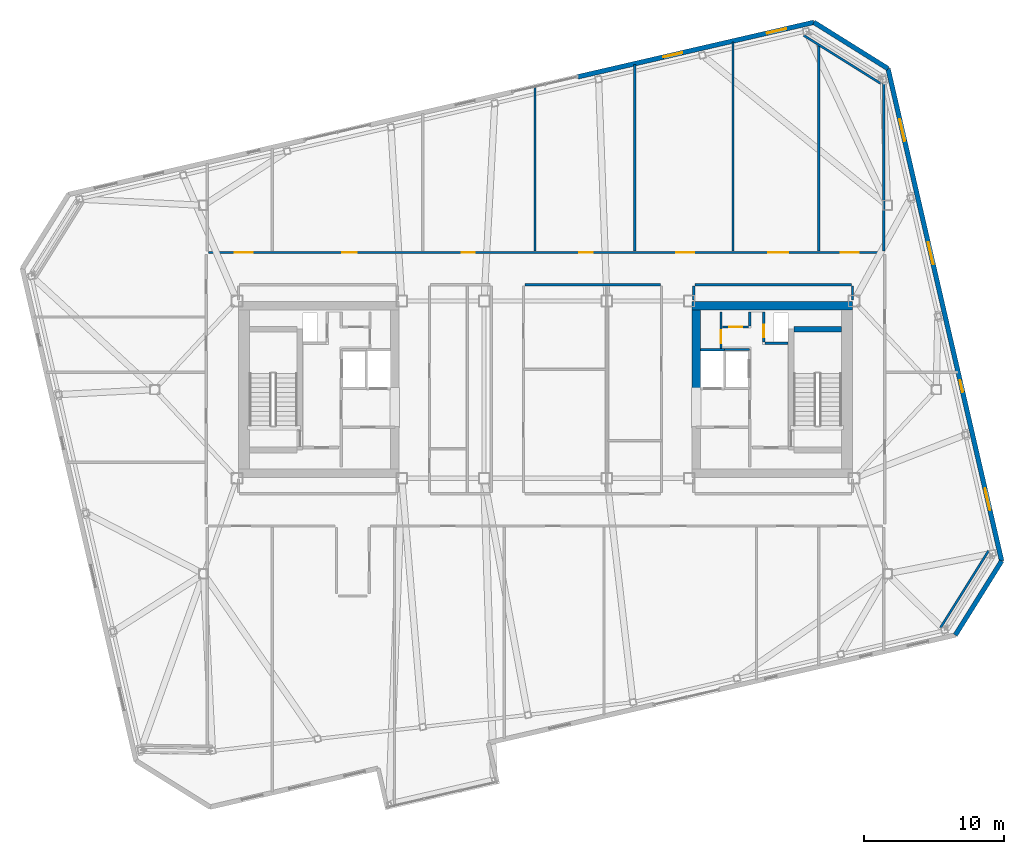
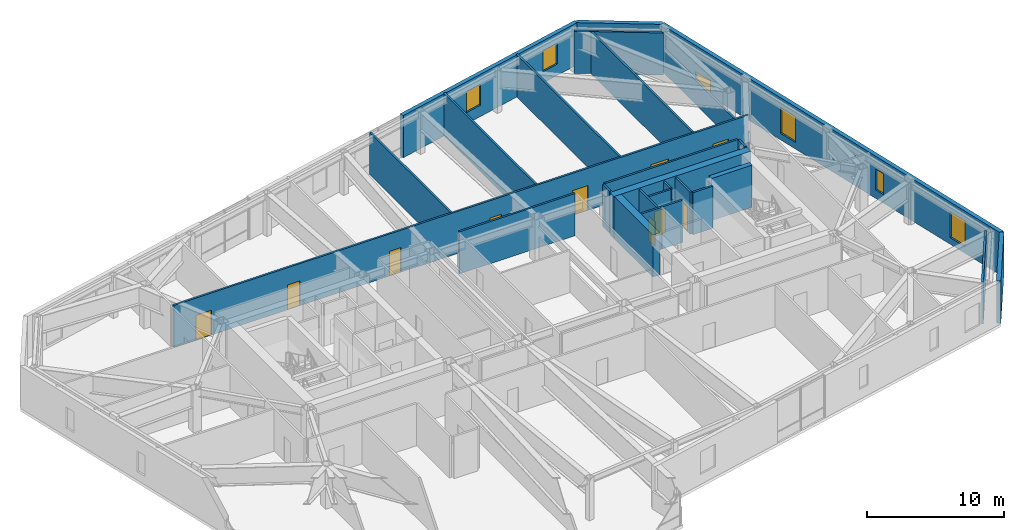
# One storey, part 19 of 23: 26 walls, 10 doors, 6 windows, 16 openings.
"""IFC4 building model written with IfcOpenShell, lengths in metres."""

from ifc_helpers import new_model, si_unit, direction, frame, frame_2d, origin, place, context, subcontext, project, spatial, rectangle, extrude, material, layer, layer_set, type_object, element, fill, save


model = new_model("IFC4")

# Units and contexts
model_context = context("Model", 3, precision=1e-05, world=origin(), true_north=direction((0.0, 1.0)))
body_context = subcontext(model_context, "Body", "Model", "MODEL_VIEW")
ifc_project = project(units=[si_unit("LENGTHUNIT", "METRE"), si_unit("AREAUNIT", "SQUARE_METRE"), si_unit("VOLUMEUNIT", "CUBIC_METRE"), si_unit("PLANEANGLEUNIT", "RADIAN"), si_unit("MASSUNIT", "GRAM", prefix="KILO")], contexts=[model_context])

# Site, building, storey
site_placement = place(None, origin())
site = spatial("IfcSite", under=ifc_project, at=site_placement, CompositionType="ELEMENT")
building_placement = place(site_placement, origin())
building = spatial("IfcBuilding", under=site, at=building_placement, Name="Tavrogorsk Clinical Tower", CompositionType="ELEMENT")
storey_placement = place(building_placement, frame((0.0, 0.0, 277.0)))
storey = spatial("IfcBuildingStorey", under=building, at=storey_placement, Name="L64", CompositionType="ELEMENT", Elevation=277.0)

# Wall, opening, door
ifc_material_1 = material(Name="Lightweight concrete blockwork B15", Category="masonry")
ifc_layer_1 = layer(ifc_material_1, 0.159912109375)
ifc_layer_set_1 = layer_set([ifc_layer_1], Name="Lightweight concrete blockwork B15")
wall_type_1 = type_object("IfcWallType", Name="PartitionWall_160", PredefinedType="PARTITIONING", material=ifc_layer_set_1)
wall_1_placement = place(storey_placement, frame((12.580078125, 2.9599609375, 0.0), z_axis=(0.0, 0.0, 1.0), x_axis=(0.0, 1.0, 0.0)))
wall_1 = element("IfcWall", 1, at=wall_1_placement, inside=storey, type_object=wall_type_1, Name="L64 Core East Linen Closet Wall", PredefinedType="PARTITIONING", context=body_context, shape_type="SweptSolid", body=[
    extrude(rectangle(XDim=2.60009765625, YDim=0.159912109375, at=frame_2d((1.300048828125, 0.0))), origin(), (0.0, 0.0, 1.0), 3.739990234375),
])
opening_1_placement = place(wall_1_placement, frame((0.35009765625, 0.0, 0.0)))
opening_1 = element("IfcOpeningElement", 2, at=opening_1_placement, cuts=wall_1, Name="Opening ID-02", PredefinedType="OPENING", context=body_context, shape_type="SweptSolid", body=[
    extrude(rectangle(XDim=0.949951171875, YDim=2.199951171875, at=frame_2d((0.47509765625, 1.10009765625))), frame((0.0, 0.08984375, 0.0), z_axis=(0.0, -1.0, 0.0), x_axis=(1.0, 0.0, 0.0)), (0.0, 0.0, 1.0), 0.179931640625),
])
ifc_material_2 = material(Name="Laminated timber leaf on aluminium frame", Category="wood")
door_type_1 = type_object("IfcDoorType", Name="InteriorDoor_ID02_950", OperationType="NOTDEFINED", PredefinedType="DOOR", material=ifc_material_2)
door_1_placement = place(opening_1_placement, origin())
door_1 = element("IfcDoor", 3, at=door_1_placement, inside=storey, type_object=door_type_1, Name="L64 Core East Linen Closet Door", OperationType="SINGLE_SWING_RIGHT", OverallHeight=2.199951171875, OverallWidth=0.949951171875, PredefinedType="DOOR", context=body_context, shape_type="SweptSolid", body=[
    extrude(rectangle(XDim=0.949951171875, YDim=2.199951171875, at=frame_2d((0.47509765625, 1.10009765625))), frame((0.0, 0.02490234375, 0.0), z_axis=(0.0, -1.0, 0.0), x_axis=(1.0, 0.0, 0.0)), (0.0, 0.0, 1.0), 0.050048828125),
])
fill(opening_1, door_1)

wall_2_placement = place(storey_placement, frame((12.6650390625, 4.47998046875, 0.0), z_axis=(0.0, 0.0, 1.0), x_axis=(1.0, 0.0, 0.0)))
wall_2 = element("IfcWall", 4, at=wall_2_placement, inside=storey, type_object=wall_type_1, Name="L64 Core East Housekeeping South Wall", PredefinedType="PARTITIONING", context=body_context, shape_type="SweptSolid", body=[
    extrude(rectangle(XDim=1.889892578125, YDim=0.159912109375, at=frame_2d((0.94482421875, 0.0))), origin(), (0.0, 0.0, 1.0), 3.739990234375),
])
opening_2_placement = place(wall_2_placement, frame((0.5, 0.0, 0.0)))
opening_2 = element("IfcOpeningElement", 5, at=opening_2_placement, cuts=wall_2, Name="Opening ID-02", PredefinedType="OPENING", context=body_context, shape_type="SweptSolid", body=[
    extrude(rectangle(XDim=0.949951171875, YDim=2.199951171875, at=frame_2d((0.47509765625, 1.10009765625))), frame((0.0, 0.08984375, 0.0), z_axis=(0.0, -1.0, 0.0), x_axis=(1.0, 0.0, 0.0)), (0.0, 0.0, 1.0), 0.179931640625),
])
door_2_placement = place(opening_2_placement, origin())
door_2 = element("IfcDoor", 6, at=door_2_placement, inside=storey, type_object=door_type_1, Name="L64 Core East Housekeeping Closet Door", OperationType="SINGLE_SWING_LEFT", OverallHeight=2.199951171875, OverallWidth=0.949951171875, PredefinedType="DOOR", context=body_context, shape_type="SweptSolid", body=[
    extrude(rectangle(XDim=0.949951171875, YDim=2.199951171875, at=frame_2d((0.47509765625, 1.10009765625))), frame((0.0, 0.02490234375, 0.0), z_axis=(0.0, -1.0, 0.0), x_axis=(1.0, 0.0, 0.0)), (0.0, 0.0, 1.0), 0.050048828125),
])
fill(opening_2, door_2)

# Walls
wall_3_placement = place(storey_placement, frame((14.639892578125, 4.56494140625, 0.0), z_axis=(0.0, 0.0, 1.0), x_axis=(0.0, 1.0, 0.0)))
element("IfcWall", 7, at=wall_3_placement, inside=storey, type_object=wall_type_1, Name="L64 Core East Housekeeping East Wall", PredefinedType="PARTITIONING", context=body_context, shape_type="SweptSolid", body=[
    extrude(rectangle(XDim=0.9951171875, YDim=0.159912109375, at=frame_2d((0.49755859375, 0.0))), origin(), (0.0, 0.0, 1.0), 3.739990234375),
])
for number, where, z_axis, x_axis, name in (
    (8, (28.30029296875, -17.064697265625, 0.0), (0.0, 0.0, 1.0), (0.529914601736, 0.848051009591, 0.0), "L64 Corner Exoskeleton Brace Furring Wall 1"),
    (9, (24.018310546875, 21.9306640625, 0.0), (0.0, 0.0, 1.0), (-0.848051009591, 0.529914601736, 0.0), "L64 Corner Exoskeleton Brace Furring Wall 2"),
):
    element("IfcWall", number, at=place(storey_placement, frame(where, z_axis=z_axis, x_axis=x_axis)), inside=storey, type_object=wall_type_1, Name=name, PredefinedType="PARTITIONING", context=body_context, shape_type="SweptSolid", body=[
        extrude(rectangle(XDim=6.50537109375, YDim=0.159912109375, at=frame_2d((3.252685546875, 0.0))), origin(), (0.0, 0.0, 1.0), 3.739990234375),
    ])

# Wall, openings, doors
wall_4_placement = place(storey_placement, frame((-24.14501953125, 9.830078125, 0.0), z_axis=(0.0, 0.0, 1.0), x_axis=(1.0, 0.0, 0.0)))
wall_4 = element("IfcWall", 10, at=wall_4_placement, inside=storey, type_object=wall_type_1, Name="L64 Corridor Partition 02", PredefinedType="PARTITIONING", context=body_context, shape_type="SweptSolid", body=[
    extrude(rectangle(XDim=48.2900390625, YDim=0.159912109375, at=frame_2d((24.14501953125, 0.0))), origin(), (0.0, 0.0, 1.0), 3.739990234375),
])
opening_3_placement = place(wall_4_placement, frame((1.869140625, 0.0, 0.0)))
opening_3 = element("IfcOpeningElement", 11, at=opening_3_placement, cuts=wall_4, Name="Opening ID-01", PredefinedType="OPENING", context=body_context, shape_type="SweptSolid", body=[
    extrude(rectangle(XDim=1.300048828125, YDim=2.199951171875, at=frame_2d((0.64990234375, 1.10009765625))), frame((0.0, 0.08984375, 0.0), z_axis=(0.0, -1.0, 0.0), x_axis=(1.0, 0.0, 0.0)), (0.0, 0.0, 1.0), 0.179931640625),
])
opening_4_placement = place(wall_4_placement, frame((9.56494140625, 0.0, 0.0)))
opening_4 = element("IfcOpeningElement", 12, at=opening_4_placement, cuts=wall_4, Name="Opening ID-04", PredefinedType="OPENING", context=body_context, shape_type="SweptSolid", body=[
    extrude(rectangle(XDim=1.050048828125, YDim=2.199951171875, at=frame_2d((0.52490234375, 1.10009765625))), frame((0.0, 0.08984375, 0.0), z_axis=(0.0, -1.0, 0.0), x_axis=(1.0, 0.0, 0.0)), (0.0, 0.0, 1.0), 0.179931640625),
])
opening_5_placement = place(wall_4_placement, frame((18.139892578125, 0.0, 0.0)))
opening_5 = element("IfcOpeningElement", 13, at=opening_5_placement, cuts=wall_4, Name="Opening ID-02", PredefinedType="OPENING", context=body_context, shape_type="SweptSolid", body=[
    extrude(rectangle(XDim=0.949951171875, YDim=2.199951171875, at=frame_2d((0.47509765625, 1.10009765625))), frame((0.0, 0.08984375, 0.0), z_axis=(0.0, -1.0, 0.0), x_axis=(1.0, 0.0, 0.0)), (0.0, 0.0, 1.0), 0.179931640625),
])
opening_6_placement = place(wall_4_placement, frame((26.580078125, 0.0, 0.0)))
opening_6 = element("IfcOpeningElement", 14, at=opening_6_placement, cuts=wall_4, Name="Opening ID-02", PredefinedType="OPENING", context=body_context, shape_type="SweptSolid", body=[
    extrude(rectangle(XDim=0.949951171875, YDim=2.199951171875, at=frame_2d((0.47509765625, 1.10009765625))), frame((0.0, 0.08984375, 0.0), z_axis=(0.0, -1.0, 0.0), x_axis=(1.0, 0.0, 0.0)), (0.0, 0.0, 1.0), 0.179931640625),
])
opening_7_placement = place(wall_4_placement, frame((33.5, 0.0, 0.0)))
opening_7 = element("IfcOpeningElement", 15, at=opening_7_placement, cuts=wall_4, Name="Opening ID-01", PredefinedType="OPENING", context=body_context, shape_type="SweptSolid", body=[
    extrude(rectangle(XDim=1.300048828125, YDim=2.199951171875, at=frame_2d((0.64990234375, 1.10009765625))), frame((0.0, 0.08984375, 0.0), z_axis=(0.0, -1.0, 0.0), x_axis=(1.0, 0.0, 0.0)), (0.0, 0.0, 1.0), 0.179931640625),
])
opening_8_placement = place(wall_4_placement, frame((40.090087890625, 0.0, 0.0)))
opening_8 = element("IfcOpeningElement", 16, at=opening_8_placement, cuts=wall_4, Name="Opening ID-05", PredefinedType="OPENING", context=body_context, shape_type="SweptSolid", body=[
    extrude(rectangle(XDim=1.449951171875, YDim=2.199951171875, at=frame_2d((0.72509765625, 1.10009765625))), frame((0.0, 0.08984375, 0.0), z_axis=(0.0, -1.0, 0.0), x_axis=(1.0, 0.0, 0.0)), (0.0, 0.0, 1.0), 0.179931640625),
])
opening_9_placement = place(wall_4_placement, frame((45.291015625, 0.0, 0.0)))
opening_9 = element("IfcOpeningElement", 17, at=opening_9_placement, cuts=wall_4, Name="Opening ID-01", PredefinedType="OPENING", context=body_context, shape_type="SweptSolid", body=[
    extrude(rectangle(XDim=1.300048828125, YDim=2.199951171875, at=frame_2d((0.64990234375, 1.10009765625))), frame((0.0, 0.08984375, 0.0), z_axis=(0.0, -1.0, 0.0), x_axis=(1.0, 0.0, 0.0)), (0.0, 0.0, 1.0), 0.179931640625),
])
ifc_material_3 = material(Name="Antibacterial HPL consultation door on aluminium frame", Category="aluminium")
door_type_2 = type_object("IfcDoorType", Name="ConsultDoor_ID04_1050", OperationType="NOTDEFINED", PredefinedType="DOOR", material=ifc_material_3)
door_3_placement = place(opening_4_placement, origin())
door_3 = element("IfcDoor", 18, at=door_3_placement, inside=storey, type_object=door_type_2, Name="L64 North Physician Consultation Office 02 Door", OperationType="SINGLE_SWING_RIGHT", OverallHeight=2.199951171875, OverallWidth=1.050048828125, PredefinedType="DOOR", context=body_context, shape_type="SweptSolid", body=[
    extrude(rectangle(XDim=1.050048828125, YDim=2.199951171875, at=frame_2d((0.52490234375, 1.10009765625))), frame((0.0, 0.02490234375, 0.0), z_axis=(0.0, -1.0, 0.0), x_axis=(1.0, 0.0, 0.0)), (0.0, 0.0, 1.0), 0.050048828125),
])
fill(opening_4, door_3)
ifc_material_4 = material(Name="Antibacterial HPL bariatric ward double door")
door_type_3 = type_object("IfcDoorType", Name="DoubleWardDoor_ID05_1450", OperationType="DOUBLE_SWING_LEFT", PredefinedType="DOOR", material=ifc_material_4)
door_4_placement = place(opening_8_placement, origin())
door_4 = element("IfcDoor", 19, at=door_4_placement, inside=storey, type_object=door_type_3, Name="L64 North Step-Down Telemetry Ward 04B Door", OperationType="DOUBLE_SWING_LEFT", OverallHeight=2.199951171875, OverallWidth=1.449951171875, PredefinedType="DOOR", context=body_context, shape_type="SweptSolid", body=[
    extrude(rectangle(XDim=1.449951171875, YDim=2.199951171875, at=frame_2d((0.72509765625, 1.10009765625))), frame((0.0, 0.02490234375, 0.0), z_axis=(0.0, -1.0, 0.0), x_axis=(1.0, 0.0, 0.0)), (0.0, 0.0, 1.0), 0.050048828125),
])
fill(opening_8, door_4)
door_5_placement = place(opening_5_placement, origin())
door_5 = element("IfcDoor", 20, at=door_5_placement, inside=storey, type_object=door_type_1, Name="L64 North Patient & Family Quiet Lounge 03A Door", OperationType="SINGLE_SWING_LEFT", OverallHeight=2.199951171875, OverallWidth=0.949951171875, PredefinedType="DOOR", context=body_context, shape_type="SweptSolid", body=[
    extrude(rectangle(XDim=0.949951171875, YDim=2.199951171875, at=frame_2d((0.47509765625, 1.10009765625))), frame((0.0, 0.02490234375, 0.0), z_axis=(0.0, -1.0, 0.0), x_axis=(1.0, 0.0, 0.0)), (0.0, 0.0, 1.0), 0.050048828125),
])
fill(opening_5, door_5)
door_6_placement = place(opening_6_placement, origin())
door_6 = element("IfcDoor", 21, at=door_6_placement, inside=storey, type_object=door_type_1, Name="L64 North Physiotherapy Rehab Studio 03B Door", OperationType="SINGLE_SWING_RIGHT", OverallHeight=2.199951171875, OverallWidth=0.949951171875, PredefinedType="DOOR", context=body_context, shape_type="SweptSolid", body=[
    extrude(rectangle(XDim=0.949951171875, YDim=2.199951171875, at=frame_2d((0.47509765625, 1.10009765625))), frame((0.0, 0.02490234375, 0.0), z_axis=(0.0, -1.0, 0.0), x_axis=(1.0, 0.0, 0.0)), (0.0, 0.0, 1.0), 0.050048828125),
])
fill(opening_6, door_6)
ifc_material_5 = material(Name="Antibacterial HPL medical leaf on aluminium frame", Category="aluminium")
door_type_4 = type_object("IfcDoorType", Name="WardBedDoor_ID01_1300", OperationType="NOTDEFINED", PredefinedType="DOOR", material=ifc_material_5)
door_7_placement = place(opening_3_placement, origin())
door_7 = element("IfcDoor", 22, at=door_7_placement, inside=storey, type_object=door_type_4, Name="L64 North Step-Down Telemetry Ward 01 Door", OperationType="SINGLE_SWING_LEFT", OverallHeight=2.199951171875, OverallWidth=1.300048828125, PredefinedType="DOOR", context=body_context, shape_type="SweptSolid", body=[
    extrude(rectangle(XDim=1.300048828125, YDim=2.199951171875, at=frame_2d((0.64990234375, 1.10009765625))), frame((0.0, 0.02490234375, 0.0), z_axis=(0.0, -1.0, 0.0), x_axis=(1.0, 0.0, 0.0)), (0.0, 0.0, 1.0), 0.050048828125),
])
fill(opening_3, door_7)
door_8_placement = place(opening_7_placement, origin())
door_8 = element("IfcDoor", 23, at=door_8_placement, inside=storey, type_object=door_type_4, Name="L64 North Acute Isolation Suite 04A Door", OperationType="SINGLE_SWING_LEFT", OverallHeight=2.199951171875, OverallWidth=1.300048828125, PredefinedType="DOOR", context=body_context, shape_type="SweptSolid", body=[
    extrude(rectangle(XDim=1.300048828125, YDim=2.199951171875, at=frame_2d((0.64990234375, 1.10009765625))), frame((0.0, 0.02490234375, 0.0), z_axis=(0.0, -1.0, 0.0), x_axis=(1.0, 0.0, 0.0)), (0.0, 0.0, 1.0), 0.050048828125),
])
fill(opening_7, door_8)
door_9_placement = place(opening_9_placement, origin())
door_9 = element("IfcDoor", 24, at=door_9_placement, inside=storey, type_object=door_type_4, Name="L64 North Sub-Acute Recovery Ward 05 Door", OperationType="SINGLE_SWING_LEFT", OverallHeight=2.199951171875, OverallWidth=1.300048828125, PredefinedType="DOOR", context=body_context, shape_type="SweptSolid", body=[
    extrude(rectangle(XDim=1.300048828125, YDim=2.199951171875, at=frame_2d((0.64990234375, 1.10009765625))), frame((0.0, 0.02490234375, 0.0), z_axis=(0.0, -1.0, 0.0), x_axis=(1.0, 0.0, 0.0)), (0.0, 0.0, 1.0), 0.050048828125),
])
fill(opening_9, door_9)

# Walls
wall_5_placement = place(storey_placement, frame((21.9150390625, 7.52001953125, 0.0), z_axis=(0.0, 0.0, 1.0), x_axis=(-1.0, 0.0, 0.0)))
element("IfcWall", 25, at=wall_5_placement, inside=storey, type_object=wall_type_1, Name="L64 Corridor Partition 09", PredefinedType="PARTITIONING", context=body_context, shape_type="SweptSolid", body=[
    extrude(rectangle(XDim=11.199951171875, YDim=0.159912109375, at=frame_2d((5.60009765625, 0.0))), origin(), (0.0, 0.0, 1.0), 3.739990234375),
])
for number, where, z_axis, x_axis, name in (
    (26, (10.6298828125, 7.43505859375, 0.0), (0.0, 0.0, 1.0), (0.0, -1.0, 0.0), "L64 Corridor Partition 10"),
    (27, (22.0, 6.419921875, 0.0), (0.0, 0.0, 1.0), (0.0, 1.0, 0.0), "L64 Corridor Partition 14"),
):
    element("IfcWall", number, at=place(storey_placement, frame(where, z_axis=z_axis, x_axis=x_axis)), inside=storey, type_object=wall_type_1, Name=name, PredefinedType="PARTITIONING", context=body_context, shape_type="SweptSolid", body=[
        extrude(rectangle(XDim=1.01513671875, YDim=0.159912109375, at=frame_2d((0.507568359375, 0.0))), origin(), (0.0, 0.0, 1.0), 3.739990234375),
    ])
wall_6_placement = place(storey_placement, frame((8.235107421875, 7.52001953125, 0.0), z_axis=(0.0, 0.0, 1.0), x_axis=(-1.0, 0.0, 0.0)))
element("IfcWall", 28, at=wall_6_placement, inside=storey, type_object=wall_type_1, Name="L64 Corridor Partition 15", PredefinedType="PARTITIONING", context=body_context, shape_type="SweptSolid", body=[
    extrude(rectangle(XDim=9.72021484375, YDim=0.159912109375, at=frame_2d((4.860107421875, 0.0))), origin(), (0.0, 0.0, 1.0), 3.739990234375),
])
wall_7_placement = place(storey_placement, frame((24.22998046875, 9.9150390625, 0.0), z_axis=(0.0, 0.0, 1.0), x_axis=(0.0, 1.0, 0.0)))
element("IfcWall", 29, at=wall_7_placement, inside=storey, type_object=wall_type_1, Name="L64 NE Wing Closure Partition", PredefinedType="PARTITIONING", context=body_context, shape_type="SweptSolid", body=[
    extrude(rectangle(XDim=12.65625, YDim=0.159912109375, at=frame_2d((6.328125, 0.0))), origin(), (0.0, 0.0, 1.0), 2.135009765625),
])
wall_8_placement = place(storey_placement, frame((6.39990234375, 9.9150390625, 0.0), z_axis=(0.0, 0.0, 1.0), x_axis=(0.0, 1.0, 0.0)))
element("IfcWall", 30, at=wall_8_placement, inside=storey, type_object=wall_type_1, Name="L64 North Room Partition 3", PredefinedType="PARTITIONING", context=body_context, shape_type="SweptSolid", body=[
    extrude(rectangle(XDim=13.367431640625, YDim=0.159912109375, at=frame_2d((6.68359375, 0.0))), origin(), (0.0, 0.0, 1.0), 3.739990234375),
])
wall_9_placement = place(storey_placement, frame((19.580078125, 9.9150390625, 0.0), z_axis=(0.0, 0.0, 1.0), x_axis=(0.0, 1.0, 0.0)))
element("IfcWall", 31, at=wall_9_placement, inside=storey, type_object=wall_type_1, Name="L64 North Room Partition 4", PredefinedType="PARTITIONING", context=body_context, shape_type="SweptSolid", body=[
    extrude(rectangle(XDim=14.79833984375, YDim=0.159912109375, at=frame_2d((7.399169921875, 0.0))), origin(), (0.0, 0.0, 1.0), 3.739990234375),
])
wall_10_placement = place(storey_placement, frame((-0.75, 9.9150390625, 0.0), z_axis=(0.0, 0.0, 1.0), x_axis=(0.0, 1.0, 0.0)))
element("IfcWall", 32, at=wall_10_placement, inside=storey, type_object=wall_type_1, Name="L64 North Sub-Partition 3", PredefinedType="PARTITIONING", context=body_context, shape_type="SweptSolid", body=[
    extrude(rectangle(XDim=11.716552734375, YDim=0.159912109375, at=frame_2d((5.8583984375, 0.0))), origin(), (0.0, 0.0, 1.0), 3.739990234375),
])
wall_11_placement = place(storey_placement, frame((13.43994140625, 9.9150390625, 0.0), z_axis=(0.0, 0.0, 1.0), x_axis=(0.0, 1.0, 0.0)))
element("IfcWall", 33, at=wall_11_placement, inside=storey, type_object=wall_type_1, Name="L64 North Sub-Partition 4", PredefinedType="PARTITIONING", context=body_context, shape_type="SweptSolid", body=[
    extrude(rectangle(XDim=14.99267578125, YDim=0.159912109375, at=frame_2d((7.496337890625, 0.0))), origin(), (0.0, 0.0, 1.0), 3.739990234375),
])

# Wall, openings, windows
ifc_material_6 = material(Name="Precast concrete B45 with limestone cladding", Category="masonry")
ifc_layer_2 = layer(ifc_material_6, 0.340087890625)
ifc_layer_set_2 = layer_set([ifc_layer_2], Name="Precast concrete B45 with limestone cladding")
wall_type_2 = type_object("IfcWallType", Name="PrecastLimestoneWall_340", PredefinedType="STANDARD", material=ifc_layer_set_2)
wall_12_placement = place(storey_placement, frame((19.2294921875, 26.316162109375, 0.0), z_axis=(0.0, 0.0, 1.0), x_axis=(-0.974372473594, -0.224940620392, 0.0)))
wall_12 = element("IfcWall", 34, at=wall_12_placement, inside=storey, type_object=wall_type_2, Name="L64 N Limestone Facade Wall 1", PredefinedType="STANDARD", context=body_context, shape_type="SweptSolid", body=[
    extrude(rectangle(XDim=17.36572265625, YDim=0.340087890625, at=frame_2d((8.682861328125, 0.0))), origin(), (0.0, 0.0, 1.0), 3.739990234375),
])
opening_10_placement = place(wall_12_placement, frame((9.675537109375, 0.0, 1.0)))
opening_10 = element("IfcOpeningElement", 35, at=opening_10_placement, cuts=wall_12, Name="Opening WN-17", PredefinedType="OPENING", context=body_context, shape_type="SweptSolid", body=[
    extrude(rectangle(XDim=1.39990234375, YDim=1.85009765625, at=frame_2d((0.699951171875, 0.925048828125))), frame((0.0, 0.179931640625, 0.0), z_axis=(0.0, -1.0, 0.0), x_axis=(1.0, 0.0, 0.0)), (0.0, 0.0, 1.0), 0.360107421875),
])
opening_11_placement = place(wall_12_placement, frame((2.041259765625, 0.0, 1.0)))
opening_11 = element("IfcOpeningElement", 36, at=opening_11_placement, cuts=wall_12, Name="Opening WN-17", PredefinedType="OPENING", context=body_context, shape_type="SweptSolid", body=[
    extrude(rectangle(XDim=1.39990234375, YDim=1.85009765625, at=frame_2d((0.699951171875, 0.925048828125))), frame((0.0, 0.179931640625, 0.0), z_axis=(0.0, -1.0, 0.0), x_axis=(1.0, 0.0, 0.0)), (0.0, 0.0, 1.0), 0.360107421875),
])
ifc_material_7 = material(Name="Thermally broken aluminium frame and triple IGU", Category="aluminium")
window_type_1 = type_object("IfcWindowType", Name="TelemetryWin_1400x1850", PartitioningType="SINGLE_PANEL", PredefinedType="WINDOW", material=ifc_material_7)
window_1_placement = place(opening_10_placement, origin())
window_1 = element("IfcWindow", 37, at=window_1_placement, inside=storey, type_object=window_type_1, Name="L64 N Chicago Window 08", OverallHeight=1.85009765625, OverallWidth=1.39990234375, PartitioningType="SINGLE_PANEL", PredefinedType="WINDOW", context=body_context, shape_type="SweptSolid", body=[
    extrude(rectangle(XDim=1.39990234375, YDim=1.85009765625, at=frame_2d((0.699951171875, 0.925048828125))), frame((0.0, 0.030029296875, 0.0), z_axis=(0.0, -1.0, 0.0), x_axis=(1.0, 0.0, 0.0)), (0.0, 0.0, 1.0), 0.06005859375),
])
fill(opening_10, window_1)
window_2_placement = place(opening_11_placement, origin())
window_2 = element("IfcWindow", 38, at=window_2_placement, inside=storey, type_object=window_type_1, Name="L64 N Chicago Window 10", OverallHeight=1.85009765625, OverallWidth=1.39990234375, PartitioningType="SINGLE_PANEL", PredefinedType="WINDOW", context=body_context, shape_type="SweptSolid", body=[
    extrude(rectangle(XDim=1.39990234375, YDim=1.85009765625, at=frame_2d((0.699951171875, 0.925048828125))), frame((0.0, 0.030029296875, 0.0), z_axis=(0.0, -1.0, 0.0), x_axis=(1.0, 0.0, 0.0)), (0.0, 0.0, 1.0), 0.06005859375),
])
fill(opening_11, window_2)

wall_13_placement = place(storey_placement, frame((32.685791015625, -12.27587890625, 0.0), z_axis=(0.0, 0.0, 1.0), x_axis=(-0.224953091034, 0.974369594576, 0.0)))
wall_13 = element("IfcWall", 39, at=wall_13_placement, inside=storey, type_object=wall_type_2, Name="L64 E Pleated Limestone Wing Wall", PredefinedType="STANDARD", context=body_context, shape_type="SweptSolid", body=[
    extrude(rectangle(XDim=36.199951171875, YDim=0.340087890625, at=frame_2d((18.10009765625, 0.0))), origin(), (0.0, 0.0, 1.0), 3.739990234375),
])
opening_12_placement = place(wall_13_placement, frame((3.72509765625, 0.0, 0.580078125)))
opening_12 = element("IfcOpeningElement", 40, at=opening_12_placement, cuts=wall_13, Name="Opening WN-07", PredefinedType="OPENING", context=body_context, shape_type="SweptSolid", body=[
    extrude(rectangle(XDim=1.60009765625, YDim=2.300048828125, at=frame_2d((0.800048828125, 1.14990234375))), frame((0.0, 0.179931640625, 0.0), z_axis=(0.0, -1.0, 0.0), x_axis=(1.0, 0.0, 0.0)), (0.0, 0.0, 1.0), 0.360107421875),
])
opening_13_placement = place(wall_13_placement, frame((12.425048828125, 0.0, 0.75)))
opening_13 = element("IfcOpeningElement", 41, at=opening_13_placement, cuts=wall_13, Name="Opening WN-06", PredefinedType="OPENING", context=body_context, shape_type="SweptSolid", body=[
    extrude(rectangle(XDim=0.85009765625, YDim=1.85009765625, at=frame_2d((0.425048828125, 0.925048828125))), frame((0.0, 0.179931640625, 0.0), z_axis=(0.0, -1.0, 0.0), x_axis=(1.0, 0.0, 0.0)), (0.0, 0.0, 1.0), 0.360107421875),
])
opening_14_placement = place(wall_13_placement, frame((21.824951171875, 0.0, 0.580078125)))
opening_14 = element("IfcOpeningElement", 42, at=opening_14_placement, cuts=wall_13, Name="Opening WN-07", PredefinedType="OPENING", context=body_context, shape_type="SweptSolid", body=[
    extrude(rectangle(XDim=1.60009765625, YDim=2.300048828125, at=frame_2d((0.800048828125, 1.14990234375))), frame((0.0, 0.179931640625, 0.0), z_axis=(0.0, -1.0, 0.0), x_axis=(1.0, 0.0, 0.0)), (0.0, 0.0, 1.0), 0.360107421875),
])
opening_15_placement = place(wall_13_placement, frame((30.875, 0.0, 0.219970703125)))
opening_15 = element("IfcOpeningElement", 43, at=opening_15_placement, cuts=wall_13, Name="Opening WN-09", PredefinedType="OPENING", context=body_context, shape_type="SweptSolid", body=[
    extrude(rectangle(XDim=1.60009765625, YDim=1.199951171875, at=frame_2d((0.800048828125, 0.60009765625))), frame((0.0, 0.179931640625, 0.0), z_axis=(0.0, -1.0, 0.0), x_axis=(1.0, 0.0, 0.0)), (0.0, 0.0, 1.0), 0.360107421875),
])
ifc_material_8 = material(Name="Thermally broken aluminium frame and triple IGU", Category="aluminium")
window_type_2 = type_object("IfcWindowType", Name="LowHeadTransWin_1600x1200", PartitioningType="DOUBLE_PANEL_VERTICAL", PredefinedType="WINDOW", material=ifc_material_8)
window_3_placement = place(opening_15_placement, origin())
window_3 = element("IfcWindow", 44, at=window_3_placement, inside=storey, type_object=window_type_2, Name="L64 E Pleat Slot Window 4", OverallHeight=1.199951171875, OverallWidth=1.60009765625, PartitioningType="SINGLE_PANEL", PredefinedType="WINDOW", context=body_context, shape_type="SweptSolid", body=[
    extrude(rectangle(XDim=1.60009765625, YDim=1.199951171875, at=frame_2d((0.800048828125, 0.60009765625))), frame((0.0, 0.030029296875, 0.0), z_axis=(0.0, -1.0, 0.0), x_axis=(1.0, 0.0, 0.0)), (0.0, 0.0, 1.0), 0.06005859375),
])
fill(opening_15, window_3)
ifc_material_9 = material(Name="Thermally broken aluminium frame and triple IGU", Category="aluminium")
window_type_3 = type_object("IfcWindowType", Name="MullionSubWin_850x1850", PartitioningType="SINGLE_PANEL", PredefinedType="WINDOW", material=ifc_material_9)
window_4_placement = place(opening_13_placement, origin())
window_4 = element("IfcWindow", 45, at=window_4_placement, inside=storey, type_object=window_type_3, Name="L64 E Pleat Mullion Window 2A", OverallHeight=1.85009765625, OverallWidth=0.85009765625, PartitioningType="SINGLE_PANEL", PredefinedType="WINDOW", context=body_context, shape_type="SweptSolid", body=[
    extrude(rectangle(XDim=0.85009765625, YDim=1.85009765625, at=frame_2d((0.425048828125, 0.925048828125))), frame((0.0, 0.030029296875, 0.0), z_axis=(0.0, -1.0, 0.0), x_axis=(1.0, 0.0, 0.0)), (0.0, 0.0, 1.0), 0.06005859375),
])
fill(opening_13, window_4)
ifc_material_10 = material(Name="Thermally broken aluminium frame and triple IGU", Category="aluminium")
window_type_4 = type_object("IfcWindowType", Name="PleatSlotWin_1600x2300", PartitioningType="SINGLE_PANEL", PredefinedType="WINDOW", material=ifc_material_10)
window_5_placement = place(opening_12_placement, origin())
window_5 = element("IfcWindow", 46, at=window_5_placement, inside=storey, type_object=window_type_4, Name="L64 E Pleat Slot Window 1", OverallHeight=2.300048828125, OverallWidth=1.60009765625, PartitioningType="SINGLE_PANEL", PredefinedType="WINDOW", context=body_context, shape_type="SweptSolid", body=[
    extrude(rectangle(XDim=1.60009765625, YDim=2.300048828125, at=frame_2d((0.800048828125, 1.14990234375))), frame((0.0, 0.030029296875, 0.0), z_axis=(0.0, -1.0, 0.0), x_axis=(1.0, 0.0, 0.0)), (0.0, 0.0, 1.0), 0.06005859375),
])
fill(opening_12, window_5)
window_6_placement = place(opening_14_placement, origin())
window_6 = element("IfcWindow", 47, at=window_6_placement, inside=storey, type_object=window_type_4, Name="L64 E Pleat Slot Window 3", OverallHeight=2.300048828125, OverallWidth=1.60009765625, PartitioningType="SINGLE_PANEL", PredefinedType="WINDOW", context=body_context, shape_type="SweptSolid", body=[
    extrude(rectangle(XDim=1.60009765625, YDim=2.300048828125, at=frame_2d((0.800048828125, 1.14990234375))), frame((0.0, 0.030029296875, 0.0), z_axis=(0.0, -1.0, 0.0), x_axis=(1.0, 0.0, 0.0)), (0.0, 0.0, 1.0), 0.06005859375),
])
fill(opening_14, window_6)

# Walls
for number, where, z_axis, x_axis, name in (
    (48, (29.365966796875, -17.5888671875, 0.0), (0.0, 0.0, 1.0), (0.529907862057, 0.848055220921, 0.0), "L64 Chamfered Corner Wall 1"),
    (49, (24.54248046875, 22.996337890625, 0.0), (0.0, 0.0, 1.0), (-0.848055220921, 0.529907862057, 0.0), "L64 Chamfered Corner Wall 2"),
):
    element("IfcWall", number, at=place(storey_placement, frame(where, z_axis=z_axis, x_axis=x_axis)), inside=storey, type_object=wall_type_2, Name=name, PredefinedType="STANDARD", context=body_context, shape_type="SweptSolid", body=[
        extrude(rectangle(XDim=6.264892578125, YDim=0.340087890625, at=frame_2d((3.13232421875, 0.0))), origin(), (0.0, 0.0, 1.0), 3.739990234375),
    ])
ifc_material_11 = material(Name="Lightweight concrete blockwork B25", Category="masonry")
ifc_layer_3 = layer(ifc_material_11, 0.159912109375)
ifc_layer_set_3 = layer_set([ifc_layer_3], Name="Lightweight concrete blockwork B25")
wall_type_3 = type_object("IfcWallType", Name="ShaftWall_160", PredefinedType="PARTITIONING", material=ifc_layer_set_3)
wall_14_placement = place(storey_placement, frame((12.840087890625, 2.8798828125, 0.0), z_axis=(0.0, 0.0, 1.0), x_axis=(1.0, 0.0, 0.0)))
element("IfcWall", 50, at=wall_14_placement, inside=storey, type_object=wall_type_3, Name="L64 FFL-E Shaft North Wall", PredefinedType="PARTITIONING", context=body_context, shape_type="SweptSolid", body=[
    extrude(rectangle(XDim=1.760009765625, YDim=0.159912109375, at=frame_2d((0.8798828125, 0.0))), origin(), (0.0, 0.0, 1.0), 3.739990234375),
])
wall_15_placement = place(storey_placement, frame((11.10009765625, 2.860107421875, 0.0), z_axis=(0.0, 0.0, 1.0), x_axis=(1.0, 0.0, 0.0)))
element("IfcWall", 51, at=wall_15_placement, inside=storey, type_object=wall_type_3, Name="L64 LP-H2 High-Zone Lift Rear Wall", PredefinedType="PARTITIONING", context=body_context, shape_type="SweptSolid", body=[
    extrude(rectangle(XDim=1.719970703125, YDim=0.159912109375, at=frame_2d((0.85986328125, 0.0))), origin(), (0.0, 0.0, 1.0), 3.739990234375),
])

# Wall, opening, door
wall_16_placement = place(storey_placement, frame((15.639892578125, 3.405029296875, 0.0), z_axis=(0.0, 0.0, 1.0), x_axis=(0.0, 1.0, 0.0)))
wall_16 = element("IfcWall", 52, at=wall_16_placement, inside=storey, type_object=wall_type_3, Name="L64 Core East Riser West Wall", PredefinedType="PARTITIONING", context=body_context, shape_type="SweptSolid", body=[
    extrude(rectangle(XDim=2.155029296875, YDim=0.159912109375, at=frame_2d((1.07763671875, 0.0))), origin(), (0.0, 0.0, 1.0), 3.739990234375),
])
opening_16_placement = place(wall_16_placement, frame((0.35009765625, 0.0, 0.0)))
opening_16 = element("IfcOpeningElement", 53, at=opening_16_placement, cuts=wall_16, Name="Opening FD-02", PredefinedType="OPENING", context=body_context, shape_type="SweptSolid", body=[
    extrude(rectangle(XDim=0.89990234375, YDim=2.199951171875, at=frame_2d((0.449951171875, 1.10009765625))), frame((0.0, 0.08984375, 0.0), z_axis=(0.0, -1.0, 0.0), x_axis=(1.0, 0.0, 0.0)), (0.0, 0.0, 1.0), 0.179931640625),
])
ifc_material_12 = material(Name="Galvanised steel fire-rated door assembly", Category="steel")
door_type_5 = type_object("IfcDoorType", Name="FireDoor_FD02_900", OperationType="NOTDEFINED", PredefinedType="DOOR", material=ifc_material_12)
door_10_placement = place(opening_16_placement, origin())
door_10 = element("IfcDoor", 54, at=door_10_placement, inside=storey, type_object=door_type_5, Name="L64 Core East Electrical Riser Access Door", OperationType="SINGLE_SWING_LEFT", OverallHeight=2.199951171875, OverallWidth=0.89990234375, PredefinedType="DOOR", context=body_context, shape_type="SweptSolid", body=[
    extrude(rectangle(XDim=0.89990234375, YDim=2.199951171875, at=frame_2d((0.449951171875, 1.10009765625))), frame((0.0, 0.02490234375, 0.0), z_axis=(0.0, -1.0, 0.0), x_axis=(1.0, 0.0, 0.0)), (0.0, 0.0, 1.0), 0.050048828125),
])
fill(opening_16, door_10)

# Walls
wall_17_placement = place(storey_placement, frame((15.72509765625, 3.320068359375, 0.0), z_axis=(0.0, 0.0, 1.0), x_axis=(1.0, 0.0, 0.0)))
element("IfcWall", 55, at=wall_17_placement, inside=storey, type_object=wall_type_3, Name="L64 Core East Riser South Wall", PredefinedType="PARTITIONING", context=body_context, shape_type="SweptSolid", body=[
    extrude(rectangle(XDim=1.65478515625, YDim=0.159912109375, at=frame_2d((0.827392578125, 0.0))), origin(), (0.0, 0.0, 1.0), 3.739990234375),
])
ifc_material_13 = material(Name="Concrete B80", Category="concrete")
ifc_layer_4 = layer(ifc_material_13, 0.39990234375)
ifc_layer_set_4 = layer_set([ifc_layer_4], Name="Concrete B80")
wall_type_4 = type_object("IfcWallType", Name="ShearWall_400", PredefinedType="SHEAR", material=ifc_layer_set_4)
wall_18_placement = place(storey_placement, frame((17.800048828125, 4.324951171875, 0.0), z_axis=(0.0, 0.0, 1.0), x_axis=(1.0, 0.0, 0.0)))
element("IfcWall", 56, at=wall_18_placement, inside=storey, type_object=wall_type_4, Name="L64 Core East Stair Shaft North Shear Wall", PredefinedType="SHEAR", context=body_context, shape_type="SweptSolid", body=[
    extrude(rectangle(XDim=3.39990234375, YDim=0.39990234375, at=frame_2d((1.699951171875, 0.0))), origin(), (0.0, 0.0, 1.0), 3.739990234375),
])
ifc_material_14 = material(Name="Concrete B80", Category="concrete")
ifc_layer_5 = layer(ifc_material_14, 0.60009765625)
ifc_layer_set_5 = layer_set([ifc_layer_5], Name="Concrete B80")
wall_type_5 = type_object("IfcWallType", Name="ShearWall_600", PredefinedType="SHEAR", material=ifc_layer_set_5)
wall_19_placement = place(storey_placement, frame((10.5, 6.0, 0.0), z_axis=(0.0, 0.0, 1.0), x_axis=(1.0, 0.0, 0.0)))
element("IfcWall", 57, at=wall_19_placement, inside=storey, type_object=wall_type_5, Name="L64 Core East North Shear Wall", PredefinedType="SHEAR", context=body_context, shape_type="SweptSolid", body=[
    extrude(rectangle(XDim=11.5, YDim=0.60009765625, at=frame_2d((5.75, 0.0))), origin(), (0.0, 0.0, 1.0), 3.739990234375),
])
wall_20_placement = place(storey_placement, frame((10.800048828125, 0.050048828125, 0.0), z_axis=(0.0, 0.0, 1.0), x_axis=(0.0, 1.0, 0.0)))
element("IfcWall", 58, at=wall_20_placement, inside=storey, type_object=wall_type_5, Name="L64 Core East Inner North Pier", PredefinedType="SHEAR", context=body_context, shape_type="SweptSolid", body=[
    extrude(rectangle(XDim=5.64990234375, YDim=0.60009765625, at=frame_2d((2.824951171875, 0.0))), origin(), (0.0, 0.0, 1.0), 3.739990234375),
])

save(model, "model.ifc")
